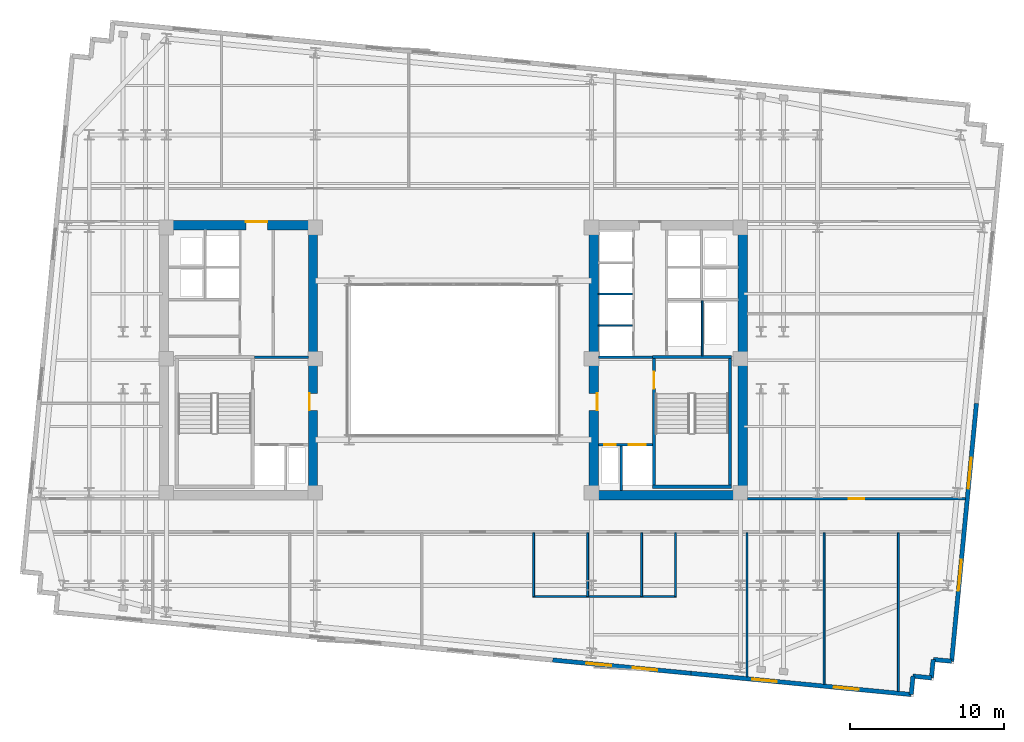
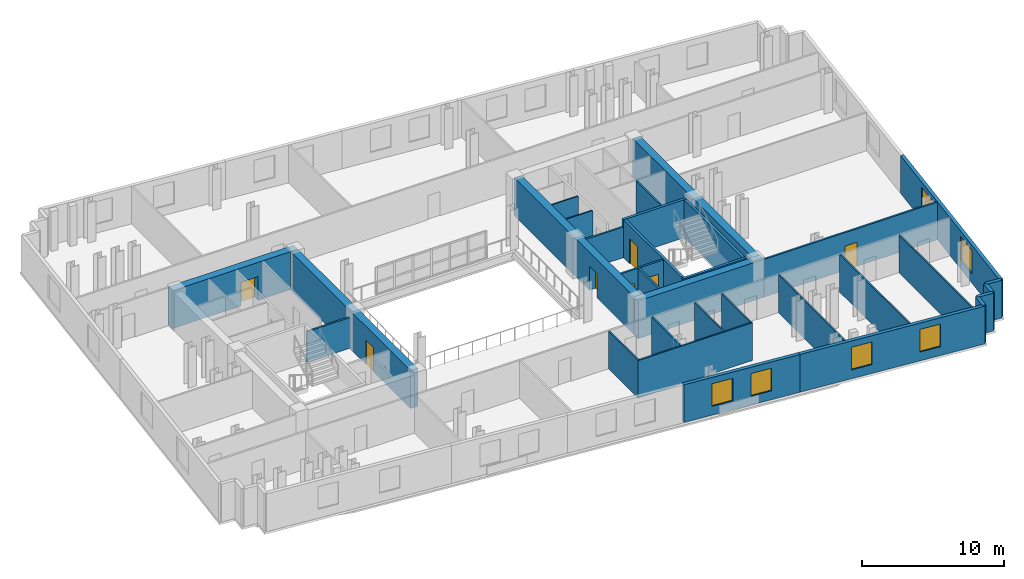
# One storey, part 6 of 10: 32 walls, 7 doors, 6 windows, 13 openings.
"""IFC4 building model written with IfcOpenShell, lengths in metres."""

from ifc_helpers import new_model, si_unit, direction, frame, frame_2d, origin, place, context, subcontext, project, spatial, rectangle, extrude, material, layer, layer_set, type_object, element, fill, save


model = new_model("IFC4")

# Units and contexts
model_context = context("Model", 3, precision=1e-05, world=origin(), true_north=direction((0.0, 1.0)))
body_context = subcontext(model_context, "Body", "Model", "MODEL_VIEW")
ifc_project = project(units=[si_unit("LENGTHUNIT", "METRE"), si_unit("AREAUNIT", "SQUARE_METRE"), si_unit("VOLUMEUNIT", "CUBIC_METRE"), si_unit("PLANEANGLEUNIT", "RADIAN"), si_unit("MASSUNIT", "GRAM", prefix="KILO")], contexts=[model_context])

# Site, building, storey
site_placement = place(None, origin())
site = spatial("IfcSite", under=ifc_project, at=site_placement, CompositionType="ELEMENT")
building_placement = place(site_placement, origin())
building = spatial("IfcBuilding", under=site, at=building_placement, Name="Velakula Bourse", CompositionType="ELEMENT")
storey_placement = place(building_placement, frame((0.0, 0.0, 174.199951171875)))
storey = spatial("IfcBuildingStorey", under=building, at=storey_placement, Name="L47", CompositionType="ELEMENT", Elevation=174.199951171875)

# Wall, opening, door
ifc_material_1 = material(Name="Concrete M50 (fck 50 MPa)", Category="concrete")
ifc_layer_1 = layer(ifc_material_1, 0.2099609375, Name="Concrete M50 (fck 50 MPa)", Category="concrete")
ifc_layer_set_1 = layer_set([ifc_layer_1], Name="Concrete M50 (fck 50 MPa)")
wall_type_1 = type_object("IfcWallType", Name="WL-CORE-210", PredefinedType="SHEAR", material=ifc_layer_set_1)
wall_1_placement = place(storey_placement, frame((12.9951171875, -8.10009765625, 0.0), z_axis=(0.0, 0.0, 1.0), x_axis=(0.0, 1.0, 0.0)))
wall_1 = element("IfcWall", 1, at=wall_1_placement, inside=storey, type_object=wall_type_1, Name="L47 Core E Stairwell Shear Wall IN", PredefinedType="SHEAR", context=body_context, shape_type="SweptSolid", body=[
    extrude(rectangle(XDim=8.2001953125, YDim=0.2099609375, at=frame_2d((4.10009765625, 0.0))), origin(), (0.0, 0.0, 1.0), 3.27001953125),
])
opening_1_placement = place(wall_1_placement, frame((6.25, 0.0, 0.0)))
opening_1 = element("IfcOpeningElement", 2, at=opening_1_placement, cuts=wall_1, Name="Opening D-STE1", PredefinedType="OPENING", context=body_context, shape_type="SweptSolid", body=[
    extrude(rectangle(XDim=1.10009765625, YDim=2.14990234375, at=frame_2d((0.550048828125, 1.074951171875))), frame((0.0, 0.114990234375, 0.0), z_axis=(0.0, -1.0, 0.0), x_axis=(1.0, 0.0, 0.0)), (0.0, 0.0, 1.0), 0.22998046875),
])
ifc_material_2 = material(Name="Galvanised painted hollow steel fire door", Category="steel")
door_type_1 = type_object("IfcDoorType", Name="DR-FD120-1100x2150", OperationType="NOTDEFINED", PredefinedType="DOOR", material=ifc_material_2)
door_1_placement = place(opening_1_placement, origin())
door_1 = element("IfcDoor", 3, at=door_1_placement, inside=storey, type_object=door_type_1, Name="L47 Stair ST-E1 Fire Door", OperationType="SINGLE_SWING_RIGHT", OverallHeight=2.14990234375, OverallWidth=1.10009765625, PredefinedType="DOOR", context=body_context, shape_type="SweptSolid", body=[
    extrude(rectangle(XDim=1.10009765625, YDim=2.14990234375, at=frame_2d((0.550048828125, 1.074951171875))), frame((0.0, 0.02490234375, 0.0), z_axis=(0.0, -1.0, 0.0), x_axis=(1.0, 0.0, 0.0)), (0.0, 0.0, 1.0), 0.050048828125),
])
fill(opening_1, door_1)

# Walls
wall_2_placement = place(storey_placement, frame((17.925048828125, -8.10009765625, 0.0), z_axis=(0.0, 0.0, 1.0), x_axis=(0.0, 1.0, 0.0)))
element("IfcWall", 4, at=wall_2_placement, inside=storey, type_object=wall_type_1, Name="L47 Core E Stairwell Shear Wall OUT", PredefinedType="SHEAR", context=body_context, shape_type="SweptSolid", body=[
    extrude(rectangle(XDim=8.2001953125, YDim=0.2099609375, at=frame_2d((4.10009765625, 0.0))), origin(), (0.0, 0.0, 1.0), 3.27001953125),
])
for number, where, z_axis, x_axis, name in (
    (5, (12.889892578125, -8.205078125, 0.0), (0.0, 0.0, 1.0), (1.0, 0.0, 0.0), "L47 Core E Stairwell Shear Wall S"),
    (6, (18.030029296875, 0.205078125, 0.0), (0.0, 0.0, 1.0), (-1.0, 0.0, 0.0), "L47 Core E Stairwell Shear Wall N"),
):
    element("IfcWall", number, at=place(storey_placement, frame(where, z_axis=z_axis, x_axis=x_axis)), inside=storey, type_object=wall_type_1, Name=name, PredefinedType="SHEAR", context=body_context, shape_type="SweptSolid", body=[
        extrude(rectangle(XDim=5.14013671875, YDim=0.2099609375, at=frame_2d((2.570068359375, 0.0))), origin(), (0.0, 0.0, 1.0), 3.27001953125),
    ])

# Wall, opening, door
ifc_material_3 = material(Name="Concrete M70 (fck 70 MPa)", Category="concrete")
ifc_layer_2 = layer(ifc_material_3, 0.60009765625, Name="Concrete M70 (fck 70 MPa)", Category="concrete")
ifc_layer_set_2 = layer_set([ifc_layer_2], Name="Concrete M70 (fck 70 MPa)")
wall_type_2 = type_object("IfcWallType", Name="WL-CORE-600", PredefinedType="SHEAR", material=ifc_layer_set_2)
wall_3_placement = place(storey_placement, frame((-19.050048828125, 8.75, 0.0), z_axis=(0.0, 0.0, 1.0), x_axis=(1.0, 0.0, 0.0)))
wall_3 = element("IfcWall", 7, at=wall_3_placement, inside=storey, type_object=wall_type_2, Name="L47 Core W Shear Wall N", PredefinedType="SHEAR", context=body_context, shape_type="SweptSolid", body=[
    extrude(rectangle(XDim=10.25, YDim=0.60009765625, at=frame_2d((5.125, 0.0))), origin(), (0.0, 0.0, 1.0), 3.27001953125),
])
opening_2_placement = place(wall_3_placement, frame((5.60009765625, 0.0, 0.0)))
opening_2 = element("IfcOpeningElement", 8, at=opening_2_placement, cuts=wall_3, Name="Opening D-LLW", PredefinedType="OPENING", context=body_context, shape_type="SweptSolid", body=[
    extrude(rectangle(XDim=1.39990234375, YDim=2.050048828125, at=frame_2d((0.699951171875, 1.02490234375))), frame((0.0, 0.31005859375, 0.0), z_axis=(0.0, -1.0, 0.0), x_axis=(1.0, 0.0, 0.0)), (0.0, 0.0, 1.0), 0.6201171875),
])
ifc_material_4 = material(Name="Fire-rated hardwood flush architectural door", Category="wood")
door_type_2 = type_object("IfcDoorType", Name="DR-DBL-FD60-1400", OperationType="DOUBLE_DOOR_SINGLE_SWING", PredefinedType="DOOR", material=ifc_material_4)
door_2_placement = place(opening_2_placement, origin())
door_2 = element("IfcDoor", 9, at=door_2_placement, inside=storey, type_object=door_type_2, Name="L47 Core W Lift Lobby Corridor Double Door", OperationType="DOUBLE_DOOR_SINGLE_SWING", OverallHeight=2.050048828125, OverallWidth=1.39990234375, PredefinedType="DOOR", context=body_context, shape_type="SweptSolid", body=[
    extrude(rectangle(XDim=1.39990234375, YDim=2.050048828125, at=frame_2d((0.699951171875, 1.02490234375))), frame((0.0, 0.2451171875, 0.0), z_axis=(0.0, -1.0, 0.0), x_axis=(1.0, 0.0, 0.0)), (0.0, 0.0, 1.0), 0.050048828125),
])
fill(opening_2, door_2)

wall_4_placement = place(storey_placement, frame((-9.10009765625, -8.449951171875, 0.0), z_axis=(0.0, 0.0, 1.0), x_axis=(0.0, 1.0, 0.0)))
wall_4 = element("IfcWall", 10, at=wall_4_placement, inside=storey, type_object=wall_type_2, Name="L47 Core W Shear Wall E", PredefinedType="SHEAR", context=body_context, shape_type="SweptSolid", body=[
    extrude(rectangle(XDim=16.89990234375, YDim=0.60009765625, at=frame_2d((8.449951171875, 0.0))), origin(), (0.0, 0.0, 1.0), 3.27001953125),
])
opening_3_placement = place(wall_4_placement, frame((5.199951171875, 0.0, 0.0)))
opening_3 = element("IfcOpeningElement", 11, at=opening_3_placement, cuts=wall_4, Name="Opening D-FLW", PredefinedType="OPENING", context=body_context, shape_type="SweptSolid", body=[
    extrude(rectangle(XDim=1.10009765625, YDim=2.080078125, at=frame_2d((0.550048828125, 1.0400390625))), frame((0.0, 0.31005859375, 0.0), z_axis=(0.0, -1.0, 0.0), x_axis=(1.0, 0.0, 0.0)), (0.0, 0.0, 1.0), 0.6201171875),
])
door_type_3 = type_object("IfcDoorType", Name="DR-FD120-1100", OperationType="NOTDEFINED", PredefinedType="DOOR", material=ifc_material_2)
door_3_placement = place(opening_3_placement, origin())
door_3 = element("IfcDoor", 12, at=door_3_placement, inside=storey, type_object=door_type_3, Name="L47 Firefighting Lobby W Corridor Fire Door", OperationType="SINGLE_SWING_LEFT", OverallHeight=2.080078125, OverallWidth=1.10009765625, PredefinedType="DOOR", context=body_context, shape_type="SweptSolid", body=[
    extrude(rectangle(XDim=1.10009765625, YDim=2.080078125, at=frame_2d((0.550048828125, 1.0400390625))), frame((0.0, 0.2548828125, 0.0), z_axis=(0.0, -1.0, 0.0), x_axis=(1.0, 0.0, 0.0)), (0.0, 0.0, 1.0), 0.050048828125),
])
fill(opening_3, door_3)

# Wall
wall_5_placement = place(storey_placement, frame((8.800048828125, -8.75, 0.0), z_axis=(0.0, 0.0, 1.0), x_axis=(1.0, 0.0, 0.0)))
element("IfcWall", 13, at=wall_5_placement, inside=storey, type_object=wall_type_2, Name="L47 Core E Shear Wall S", PredefinedType="SHEAR", context=body_context, shape_type="SweptSolid", body=[
    extrude(rectangle(XDim=10.25, YDim=0.60009765625, at=frame_2d((5.125, 0.0))), origin(), (0.0, 0.0, 1.0), 3.27001953125),
])

# Wall, opening, door
wall_6_placement = place(storey_placement, frame((9.10009765625, -8.449951171875, 0.0), z_axis=(0.0, 0.0, 1.0), x_axis=(0.0, 1.0, 0.0)))
wall_6 = element("IfcWall", 14, at=wall_6_placement, inside=storey, type_object=wall_type_2, Name="L47 Core E Shear Wall W", PredefinedType="SHEAR", context=body_context, shape_type="SweptSolid", body=[
    extrude(rectangle(XDim=16.89990234375, YDim=0.60009765625, at=frame_2d((8.449951171875, 0.0))), origin(), (0.0, 0.0, 1.0), 3.27001953125),
])
opening_4_placement = place(wall_6_placement, frame((5.199951171875, 0.0, 0.0)))
opening_4 = element("IfcOpeningElement", 15, at=opening_4_placement, cuts=wall_6, Name="Opening D-FLE", PredefinedType="OPENING", context=body_context, shape_type="SweptSolid", body=[
    extrude(rectangle(XDim=1.10009765625, YDim=2.080078125, at=frame_2d((0.550048828125, 1.0400390625))), frame((0.0, 0.31005859375, 0.0), z_axis=(0.0, -1.0, 0.0), x_axis=(1.0, 0.0, 0.0)), (0.0, 0.0, 1.0), 0.6201171875),
])
door_4_placement = place(opening_4_placement, origin())
door_4 = element("IfcDoor", 16, at=door_4_placement, inside=storey, type_object=door_type_3, Name="L47 Firefighting Lobby E Corridor Fire Door", OperationType="SINGLE_SWING_RIGHT", OverallHeight=2.080078125, OverallWidth=1.10009765625, PredefinedType="DOOR", context=body_context, shape_type="SweptSolid", body=[
    extrude(rectangle(XDim=1.10009765625, YDim=2.080078125, at=frame_2d((0.550048828125, 1.0400390625))), frame((0.0, -0.205078125, 0.0), z_axis=(0.0, -1.0, 0.0), x_axis=(1.0, 0.0, 0.0)), (0.0, 0.0, 1.0), 0.050048828125),
])
fill(opening_4, door_4)

# Wall
wall_7_placement = place(storey_placement, frame((18.75, -8.449951171875, 0.0), z_axis=(0.0, 0.0, 1.0), x_axis=(0.0, 1.0, 0.0)))
element("IfcWall", 17, at=wall_7_placement, inside=storey, type_object=wall_type_2, Name="L47 Core E Shear Wall E", PredefinedType="SHEAR", context=body_context, shape_type="SweptSolid", body=[
    extrude(rectangle(XDim=16.89990234375, YDim=0.60009765625, at=frame_2d((8.449951171875, 0.0))), origin(), (0.0, 0.0, 1.0), 3.27001953125),
])

# Wall, openings, windows
ifc_material_5 = material(Name="Red kilned clay facing brick masonry", Category="masonry")
ifc_layer_3 = layer(ifc_material_5, 0.280029296875, Name="Red kilned clay facing brick masonry", Category="masonry")
ifc_layer_set_3 = layer_set([ifc_layer_3], Name="Red kilned clay facing brick masonry")
wall_type_3 = type_object("IfcWallType", Name="WL-EXT-BRK-280", PredefinedType="STANDARD", material=ifc_layer_set_3)
wall_8_placement = place(storey_placement, frame((15.398681640625, -20.295654296875, 0.0), z_axis=(0.0, 0.0, 1.0), x_axis=(-0.995394455533, 0.09586385082, 0.0)))
wall_8 = element("IfcWall", 18, at=wall_8_placement, inside=storey, type_object=wall_type_3, Name="L47 S Brick Spandrel Wall B4", PredefinedType="STANDARD", context=body_context, shape_type="SweptSolid", body=[
    extrude(rectangle(XDim=9.000244140625, YDim=0.280029296875, at=frame_2d((4.5, 0.0))), origin(), (0.0, 0.0, 1.0), 3.25),
])
opening_5_placement = place(wall_8_placement, frame((2.199951171875, 0.0, 0.760009765625)))
opening_5 = element("IfcOpeningElement", 19, at=opening_5_placement, cuts=wall_8, Name="Opening W-02", PredefinedType="OPENING", context=body_context, shape_type="SweptSolid", body=[
    extrude(rectangle(XDim=1.60009765625, YDim=1.949951171875, at=frame_2d((0.800048828125, 0.97509765625))), frame((0.0, 0.14990234375, 0.0), z_axis=(0.0, -1.0, 0.0), x_axis=(1.0, 0.0, 0.0)), (0.0, 0.0, 1.0), 0.300048828125),
])
opening_6_placement = place(wall_8_placement, frame((5.199951171875, 0.0, 0.760009765625)))
opening_6 = element("IfcOpeningElement", 20, at=opening_6_placement, cuts=wall_8, Name="Opening W-02", PredefinedType="OPENING", context=body_context, shape_type="SweptSolid", body=[
    extrude(rectangle(XDim=1.60009765625, YDim=1.949951171875, at=frame_2d((0.800048828125, 0.97509765625))), frame((0.0, 0.14990234375, 0.0), z_axis=(0.0, -1.0, 0.0), x_axis=(1.0, 0.0, 0.0)), (0.0, 0.0, 1.0), 0.300048828125),
])
ifc_material_6 = material(Name="Double-glazed solar-control Low-E glass", Category="glass")
window_type_1 = type_object("IfcWindowType", Name="WIN-TWR-1600x2100", PartitioningType="SINGLE_PANEL", PredefinedType="WINDOW", material=ifc_material_6)
window_1_placement = place(opening_5_placement, origin())
window_1 = element("IfcWindow", 21, at=window_1_placement, inside=storey, type_object=window_type_1, Name="L47 Deep-Set Recessed Window 1", OverallHeight=1.949951171875, OverallWidth=1.60009765625, PartitioningType="SINGLE_PANEL", PredefinedType="WINDOW", context=body_context, shape_type="SweptSolid", body=[
    extrude(rectangle(XDim=1.60009765625, YDim=1.949951171875, at=frame_2d((0.800048828125, 0.97509765625))), frame((0.0, 0.030029296875, 0.0), z_axis=(0.0, -1.0, 0.0), x_axis=(1.0, 0.0, 0.0)), (0.0, 0.0, 1.0), 0.06005859375),
])
fill(opening_5, window_1)
window_2_placement = place(opening_6_placement, origin())
window_2 = element("IfcWindow", 22, at=window_2_placement, inside=storey, type_object=window_type_1, Name="L47 Deep-Set Recessed Window 2", OverallHeight=1.949951171875, OverallWidth=1.60009765625, PartitioningType="SINGLE_PANEL", PredefinedType="WINDOW", context=body_context, shape_type="SweptSolid", body=[
    extrude(rectangle(XDim=1.60009765625, YDim=1.949951171875, at=frame_2d((0.800048828125, 0.97509765625))), frame((0.0, 0.030029296875, 0.0), z_axis=(0.0, -1.0, 0.0), x_axis=(1.0, 0.0, 0.0)), (0.0, 0.0, 1.0), 0.06005859375),
])
fill(opening_6, window_2)

wall_9_placement = place(storey_placement, frame((29.672607421875, -21.669921875, 0.0), z_axis=(0.0, 0.0, 1.0), x_axis=(-0.995397230529, 0.095835032509, 0.0)))
wall_9 = element("IfcWall", 23, at=wall_9_placement, inside=storey, type_object=wall_type_3, Name="L47 S Brick Spandrel Wall B5", PredefinedType="STANDARD", context=body_context, shape_type="SweptSolid", body=[
    extrude(rectangle(XDim=14.33984375, YDim=0.280029296875, at=frame_2d((7.169921875, 0.0))), origin(), (0.0, 0.0, 1.0), 3.25),
])
opening_7_placement = place(wall_9_placement, frame((3.429931640625, 0.0, 0.760009765625)))
opening_7 = element("IfcOpeningElement", 24, at=opening_7_placement, cuts=wall_9, Name="Opening W-02", PredefinedType="OPENING", context=body_context, shape_type="SweptSolid", body=[
    extrude(rectangle(XDim=1.60009765625, YDim=1.949951171875, at=frame_2d((0.800048828125, 0.97509765625))), frame((0.0, 0.14990234375, 0.0), z_axis=(0.0, -1.0, 0.0), x_axis=(1.0, 0.0, 0.0)), (0.0, 0.0, 1.0), 0.300048828125),
])
opening_8_placement = place(wall_9_placement, frame((8.760009765625, 0.0, 0.760009765625)))
opening_8 = element("IfcOpeningElement", 25, at=opening_8_placement, cuts=wall_9, Name="Opening W-02", PredefinedType="OPENING", context=body_context, shape_type="SweptSolid", body=[
    extrude(rectangle(XDim=1.60009765625, YDim=1.949951171875, at=frame_2d((0.800048828125, 0.97509765625))), frame((0.0, 0.14990234375, 0.0), z_axis=(0.0, -1.0, 0.0), x_axis=(1.0, 0.0, 0.0)), (0.0, 0.0, 1.0), 0.300048828125),
])
window_3_placement = place(opening_7_placement, origin())
window_3 = element("IfcWindow", 26, at=window_3_placement, inside=storey, type_object=window_type_1, Name="L47 Deep-Set Recessed Window 1", OverallHeight=1.949951171875, OverallWidth=1.60009765625, PartitioningType="SINGLE_PANEL", PredefinedType="WINDOW", context=body_context, shape_type="SweptSolid", body=[
    extrude(rectangle(XDim=1.60009765625, YDim=1.949951171875, at=frame_2d((0.800048828125, 0.97509765625))), frame((0.0, 0.030029296875, 0.0), z_axis=(0.0, -1.0, 0.0), x_axis=(1.0, 0.0, 0.0)), (0.0, 0.0, 1.0), 0.06005859375),
])
fill(opening_7, window_3)
window_4_placement = place(opening_8_placement, origin())
window_4 = element("IfcWindow", 27, at=window_4_placement, inside=storey, type_object=window_type_1, Name="L47 Deep-Set Recessed Window 2", OverallHeight=1.949951171875, OverallWidth=1.60009765625, PartitioningType="SINGLE_PANEL", PredefinedType="WINDOW", context=body_context, shape_type="SweptSolid", body=[
    extrude(rectangle(XDim=1.60009765625, YDim=1.949951171875, at=frame_2d((0.800048828125, 0.97509765625))), frame((0.0, 0.030029296875, 0.0), z_axis=(0.0, -1.0, 0.0), x_axis=(1.0, 0.0, 0.0)), (0.0, 0.0, 1.0), 0.06005859375),
])
fill(opening_8, window_4)

wall_10_placement = place(storey_placement, frame((33.90087890625, -2.79833984375, 0.0), z_axis=(0.0, 0.0, 1.0), x_axis=(-0.095853434568, -0.99539545864, 0.0)))
wall_10 = element("IfcWall", 28, at=wall_10_placement, inside=storey, type_object=wall_type_3, Name="L47 E Brick End Wall W1", PredefinedType="STANDARD", context=body_context, shape_type="SweptSolid", body=[
    extrude(rectangle(XDim=16.7900390625, YDim=0.280029296875, at=frame_2d((8.39501953125, 0.0))), origin(), (0.0, 0.0, 1.0), 3.25),
])
opening_9_placement = place(wall_10_placement, frame((3.546630859375, 0.0, 0.760009765625)))
opening_9 = element("IfcOpeningElement", 29, at=opening_9_placement, cuts=wall_10, Name="Opening W-05", PredefinedType="OPENING", context=body_context, shape_type="SweptSolid", body=[
    extrude(rectangle(XDim=2.0, YDim=2.050048828125, at=frame_2d((1.0, 1.02490234375))), frame((0.0, 0.14990234375, 0.0), z_axis=(0.0, -1.0, 0.0), x_axis=(1.0, 0.0, 0.0)), (0.0, 0.0, 1.0), 0.300048828125),
])
opening_10_placement = place(wall_10_placement, frame((10.193359375, 0.0, 0.760009765625)))
opening_10 = element("IfcOpeningElement", 30, at=opening_10_placement, cuts=wall_10, Name="Opening W-05", PredefinedType="OPENING", context=body_context, shape_type="SweptSolid", body=[
    extrude(rectangle(XDim=2.0, YDim=2.050048828125, at=frame_2d((1.0, 1.02490234375))), frame((0.0, 0.14990234375, 0.0), z_axis=(0.0, -1.0, 0.0), x_axis=(1.0, 0.0, 0.0)), (0.0, 0.0, 1.0), 0.300048828125),
])
window_type_2 = type_object("IfcWindowType", Name="WIN-TWR-2000x2200", PartitioningType="DOUBLE_PANEL_VERTICAL", PredefinedType="WINDOW", material=ifc_material_6)
window_5_placement = place(opening_9_placement, origin())
window_5 = element("IfcWindow", 31, at=window_5_placement, inside=storey, type_object=window_type_2, Name="L47 Deep-Set Recessed Window 1", OverallHeight=2.050048828125, OverallWidth=2.0, PartitioningType="DOUBLE_PANEL_VERTICAL", PredefinedType="WINDOW", context=body_context, shape_type="SweptSolid", body=[
    extrude(rectangle(XDim=2.0, YDim=2.050048828125, at=frame_2d((1.0, 1.02490234375))), frame((0.0, 0.030029296875, 0.0), z_axis=(0.0, -1.0, 0.0), x_axis=(1.0, 0.0, 0.0)), (0.0, 0.0, 1.0), 0.06005859375),
])
fill(opening_9, window_5)
window_6_placement = place(opening_10_placement, origin())
window_6 = element("IfcWindow", 32, at=window_6_placement, inside=storey, type_object=window_type_2, Name="L47 Deep-Set Recessed Window 2", OverallHeight=2.050048828125, OverallWidth=2.0, PartitioningType="DOUBLE_PANEL_VERTICAL", PredefinedType="WINDOW", context=body_context, shape_type="SweptSolid", body=[
    extrude(rectangle(XDim=2.0, YDim=2.050048828125, at=frame_2d((1.0, 1.02490234375))), frame((0.0, 0.030029296875, 0.0), z_axis=(0.0, -1.0, 0.0), x_axis=(1.0, 0.0, 0.0)), (0.0, 0.0, 1.0), 0.06005859375),
])
fill(opening_10, window_6)

# Walls
for number, where, z_axis, x_axis, name in (
    (33, (29.672607421875, -21.669921875, 0.0), (0.0, 0.0, 1.0), (0.095836473879, 0.995397091755, 0.0), "L47 Serrated Corner Brick Wall SE-1"),
    (34, (29.78759765625, -20.4755859375, 0.0), (0.0, 0.0, 1.0), (0.995397091755, -0.095836473879, 0.0), "L47 Serrated Corner Brick Wall SE-2"),
):
    element("IfcWall", number, at=place(storey_placement, frame(where, z_axis=z_axis, x_axis=x_axis)), inside=storey, type_object=wall_type_3, Name=name, PredefinedType="STANDARD", context=body_context, shape_type="SweptSolid", body=[
        extrude(rectangle(XDim=1.199951171875, YDim=0.280029296875, at=frame_2d((0.60009765625, 0.0))), origin(), (0.0, 0.0, 1.0), 3.25),
    ])
wall_11_placement = place(storey_placement, frame((30.98193359375, -20.590576171875, 0.0), z_axis=(0.0, 0.0, 1.0), x_axis=(0.096018626938, 0.995379537303, 0.0)))
element("IfcWall", 35, at=wall_11_placement, inside=storey, type_object=wall_type_3, Name="L47 Serrated Corner Brick Wall SE-3", PredefinedType="STANDARD", context=body_context, shape_type="SweptSolid", body=[
    extrude(rectangle(XDim=1.2001953125, YDim=0.280029296875, at=frame_2d((0.60009765625, 0.0))), origin(), (0.0, 0.0, 1.0), 3.25),
])
wall_12_placement = place(storey_placement, frame((31.09716796875, -19.39599609375, 0.0), z_axis=(0.0, 0.0, 1.0), x_axis=(0.995397091755, -0.095836473879, 0.0)))
element("IfcWall", 36, at=wall_12_placement, inside=storey, type_object=wall_type_3, Name="L47 Serrated Corner Brick Wall SE-4", PredefinedType="STANDARD", context=body_context, shape_type="SweptSolid", body=[
    extrude(rectangle(XDim=1.199951171875, YDim=0.280029296875, at=frame_2d((0.60009765625, 0.0))), origin(), (0.0, 0.0, 1.0), 3.25),
])
ifc_material_7 = material(Name="Fire-rated double-layer gypsum drywall partition", Category="gypsum")
ifc_layer_4 = layer(ifc_material_7, 0.1201171875, Name="Fire-rated double-layer gypsum drywall partition", Category="gypsum")
ifc_layer_set_4 = layer_set([ifc_layer_4], Name="Fire-rated double-layer gypsum drywall partition")
wall_type_4 = type_object("IfcWallType", Name="WL-PART-120", PredefinedType="STANDARD", material=ifc_layer_set_4)
for number, where, z_axis, x_axis, name in (
    (37, (9.39990234375, 2.2548828125, 0.0), (0.0, 0.0, 1.0), (1.0, 0.0, 0.0), "L47 Interior Partition WL-CRE-L47-BDIV-0"),
    (38, (9.39990234375, 4.284912109375, 0.0), (0.0, 0.0, 1.0), (1.0, 0.0, 0.0), "L47 Interior Partition WL-CRE-L47-BDIV-1"),
):
    element("IfcWall", number, at=place(storey_placement, frame(where, z_axis=z_axis, x_axis=x_axis)), inside=storey, type_object=wall_type_4, Name=name, PredefinedType="STANDARD", context=body_context, shape_type="SweptSolid", body=[
        extrude(rectangle(XDim=2.2001953125, YDim=0.110107421875, at=frame_2d((1.10009765625, 0.0))), origin(), (0.0, 0.0, 1.0), 3.25),
    ])
wall_13_placement = place(storey_placement, frame((16.125, 0.27001953125, 0.0), z_axis=(0.0, 0.0, 1.0), x_axis=(0.0, 1.0, 0.0)))
element("IfcWall", 39, at=wall_13_placement, inside=storey, type_object=wall_type_4, Name="L47 Interior Partition WL-CRE-L47-SVL-E", PredefinedType="STANDARD", context=body_context, shape_type="SweptSolid", body=[
    extrude(rectangle(XDim=3.590087890625, YDim=0.1201171875, at=frame_2d((1.794921875, 0.0))), origin(), (0.0, 0.0, 1.0), 3.25),
])
wall_14_placement = place(storey_placement, frame((5.139892578125, -15.320068359375, 0.0), z_axis=(0.0, 0.0, 1.0), x_axis=(1.0, 0.0, 0.0)))
element("IfcWall", 40, at=wall_14_placement, inside=storey, type_object=wall_type_4, Name="L47 Interior Partition WL-WC-L47-BACK", PredefinedType="STANDARD", context=body_context, shape_type="SweptSolid", body=[
    extrude(rectangle(XDim=9.320068359375, YDim=0.1201171875, at=frame_2d((4.66015625, 0.0))), origin(), (0.0, 0.0, 1.0), 3.25),
])
for number, where, z_axis, x_axis, name in (
    (41, (5.199951171875, -15.320068359375, 0.0), (0.0, 0.0, 1.0), (0.0, 1.0, 0.0), "L47 Interior Partition WL-WC-L47-V1"),
    (42, (8.699951171875, -15.320068359375, 0.0), (0.0, 0.0, 1.0), (0.0, 1.0, 0.0), "L47 Interior Partition WL-WC-L47-V2"),
    (43, (12.199951171875, -15.320068359375, 0.0), (0.0, 0.0, 1.0), (0.0, 1.0, 0.0), "L47 Interior Partition WL-WC-L47-V3"),
    (44, (14.39990234375, -15.320068359375, 0.0), (0.0, 0.0, 1.0), (0.0, 1.0, 0.0), "L47 Interior Partition WL-WC-L47-V4"),
):
    element("IfcWall", number, at=place(storey_placement, frame(where, z_axis=z_axis, x_axis=x_axis)), inside=storey, type_object=wall_type_4, Name=name, PredefinedType="STANDARD", context=body_context, shape_type="SweptSolid", body=[
        extrude(rectangle(XDim=4.130126953125, YDim=0.1201171875, at=frame_2d((2.06494140625, 0.0))), origin(), (0.0, 0.0, 1.0), 3.25),
    ])
wall_15_placement = place(storey_placement, frame((19.028076171875, -20.5244140625, 0.0), z_axis=(0.0, 0.0, 1.0), x_axis=(0.0, 1.0, 0.0)))
element("IfcWall", 45, at=wall_15_placement, inside=storey, type_object=wall_type_4, Name="L47 Interior Partition WL-INT-L47-SR-D8", PredefinedType="STANDARD", context=body_context, shape_type="SweptSolid", body=[
    extrude(rectangle(XDim=9.33447265625, YDim=0.1201171875, at=frame_2d((4.667236328125, 0.0))), origin(), (0.0, 0.0, 1.0), 3.25),
])
wall_16_placement = place(storey_placement, frame((24.02587890625, -21.005615234375, 0.0), z_axis=(0.0, 0.0, 1.0), x_axis=(0.0, 1.0, 0.0)))
element("IfcWall", 46, at=wall_16_placement, inside=storey, type_object=wall_type_4, Name="L47 Interior Partition WL-INT-L47-SR-D9", PredefinedType="STANDARD", context=body_context, shape_type="SweptSolid", body=[
    extrude(rectangle(XDim=9.815673828125, YDim=0.1201171875, at=frame_2d((4.90771484375, 0.0))), origin(), (0.0, 0.0, 1.0), 3.25),
])
wall_17_placement = place(storey_placement, frame((28.839111328125, -21.46923828125, 0.0), z_axis=(0.0, 0.0, 1.0), x_axis=(0.0, 1.0, 0.0)))
element("IfcWall", 47, at=wall_17_placement, inside=storey, type_object=wall_type_4, Name="L47 Interior Partition WL-INT-L47-SR-D10", PredefinedType="STANDARD", context=body_context, shape_type="SweptSolid", body=[
    extrude(rectangle(XDim=10.279296875, YDim=0.1201171875, at=frame_2d((5.1396484375, 0.0))), origin(), (0.0, 0.0, 1.0), 3.25),
])

# Wall, opening, door
ifc_layer_5 = layer(ifc_material_7, 0.139892578125, Name="Fire-rated double-layer gypsum drywall partition", Category="gypsum")
ifc_layer_set_5 = layer_set([ifc_layer_5], Name="Fire-rated double-layer gypsum drywall partition")
wall_type_5 = type_object("IfcWallType", Name="WL-PART-140", PredefinedType="STANDARD", material=ifc_layer_set_5)
wall_18_placement = place(storey_placement, frame((19.050048828125, -8.97998046875, 0.0), z_axis=(0.0, 0.0, 1.0), x_axis=(1.0, 0.0, 0.0)))
wall_18 = element("IfcWall", 48, at=wall_18_placement, inside=storey, type_object=wall_type_5, Name="L47 Interior Partition WL-INT-L47-E-SC", PredefinedType="STANDARD", context=body_context, shape_type="SweptSolid", body=[
    extrude(rectangle(XDim=14.135009765625, YDim=0.139892578125, at=frame_2d((7.0673828125, 0.0))), origin(), (0.0, 0.0, 1.0), 3.25),
])
opening_11_placement = place(wall_18_placement, frame((6.5673828125, 0.0, 0.0)))
opening_11 = element("IfcOpeningElement", 49, at=opening_11_placement, cuts=wall_18, Name="Opening D-OF1", PredefinedType="OPENING", context=body_context, shape_type="SweptSolid", body=[
    extrude(rectangle(XDim=1.0, YDim=2.080078125, at=frame_2d((0.5, 1.0400390625))), frame((0.0, 0.079833984375, 0.0), z_axis=(0.0, -1.0, 0.0), x_axis=(1.0, 0.0, 0.0)), (0.0, 0.0, 1.0), 0.159912109375),
])
door_type_4 = type_object("IfcDoorType", Name="DR-OFF-1000", OperationType="NOTDEFINED", PredefinedType="DOOR", material=ifc_material_4)
door_5_placement = place(opening_11_placement, origin())
door_5 = element("IfcDoor", 50, at=door_5_placement, inside=storey, type_object=door_type_4, Name="L47 Interest-Rate Swaps Workspace Door", OperationType="SINGLE_SWING_RIGHT", OverallHeight=2.080078125, OverallWidth=1.0, PredefinedType="DOOR", context=body_context, shape_type="SweptSolid", body=[
    extrude(rectangle(XDim=1.0, YDim=2.080078125, at=frame_2d((0.5, 1.0400390625))), frame((0.0, 0.02490234375, 0.0), z_axis=(0.0, -1.0, 0.0), x_axis=(1.0, 0.0, 0.0)), (0.0, 0.0, 1.0), 0.050048828125),
])
fill(opening_11, door_5)

# Wall
ifc_material_8 = material(Name="Autoclaved aerated concrete blockwork masonry", Category="masonry")
ifc_layer_6 = layer(ifc_material_8, 0.14990234375, Name="Autoclaved aerated concrete blockwork masonry", Category="masonry")
ifc_layer_set_6 = layer_set([ifc_layer_6], Name="Autoclaved aerated concrete blockwork masonry")
wall_type_6 = type_object("IfcWallType", Name="WL-SHAFT-150", PredefinedType="STANDARD", material=ifc_layer_set_6)
wall_19_placement = place(storey_placement, frame((-12.889892578125, 0.18994140625, 0.0), z_axis=(0.0, 0.0, 1.0), x_axis=(1.0, 0.0, 0.0)))
element("IfcWall", 51, at=wall_19_placement, inside=storey, type_object=wall_type_6, Name="L47 Interior Partition WL-CRW-L47-FF-TOP", PredefinedType="STANDARD", context=body_context, shape_type="SweptSolid", body=[
    extrude(rectangle(XDim=3.489990234375, YDim=0.14990234375, at=frame_2d((1.7451171875, 0.0))), origin(), (0.0, 0.0, 1.0), 2.64501953125),
])

# Wall, openings, doors
wall_20_placement = place(storey_placement, frame((9.39990234375, -5.47509765625, 0.0), z_axis=(0.0, 0.0, 1.0), x_axis=(1.0, 0.0, 0.0)))
wall_20 = element("IfcWall", 52, at=wall_20_placement, inside=storey, type_object=wall_type_6, Name="L47 Interior Partition WL-CRE-L47-FFL-N", PredefinedType="STANDARD", context=body_context, shape_type="SweptSolid", body=[
    extrude(rectangle(XDim=3.4951171875, YDim=0.14990234375, at=frame_2d((1.74755859375, 0.0))), origin(), (0.0, 0.0, 1.0), 3.25),
])
opening_12_placement = place(wall_20_placement, frame((1.97509765625, 0.0, 0.0)))
opening_12 = element("IfcOpeningElement", 53, at=opening_12_placement, cuts=wall_20, Name="Opening LD-FFL-2", PredefinedType="OPENING", context=body_context, shape_type="SweptSolid", body=[
    extrude(rectangle(XDim=1.10009765625, YDim=2.14990234375, at=frame_2d((0.550048828125, 1.074951171875))), frame((0.0, 0.0849609375, 0.0), z_axis=(0.0, -1.0, 0.0), x_axis=(1.0, 0.0, 0.0)), (0.0, 0.0, 1.0), 0.169921875),
])
opening_13_placement = place(wall_20_placement, frame((0.375, 0.0, 0.0)))
opening_13 = element("IfcOpeningElement", 54, at=opening_13_placement, cuts=wall_20, Name="Opening D-RS1", PredefinedType="OPENING", context=body_context, shape_type="SweptSolid", body=[
    extrude(rectangle(XDim=0.75, YDim=2.050048828125, at=frame_2d((0.375, 1.02490234375))), frame((0.0, 0.0849609375, 0.0), z_axis=(0.0, -1.0, 0.0), x_axis=(1.0, 0.0, 0.0)), (0.0, 0.0, 1.0), 0.169921875),
])
door_type_5 = type_object("IfcDoorType", Name="DR-RISER-800", OperationType="NOTDEFINED", PredefinedType="DOOR", material=ifc_material_2)
door_6_placement = place(opening_13_placement, origin())
door_6 = element("IfcDoor", 55, at=door_6_placement, inside=storey, type_object=door_type_5, Name="L47 Fire Riser Access Door", OperationType="SINGLE_SWING_LEFT", OverallHeight=2.050048828125, OverallWidth=0.75, PredefinedType="DOOR", context=body_context, shape_type="SweptSolid", body=[
    extrude(rectangle(XDim=0.75, YDim=2.050048828125, at=frame_2d((0.375, 1.02490234375))), frame((0.0, 0.02490234375, 0.0), z_axis=(0.0, -1.0, 0.0), x_axis=(1.0, 0.0, 0.0)), (0.0, 0.0, 1.0), 0.050048828125),
])
fill(opening_13, door_6)
ifc_material_9 = material(Name="Brushed grade 316 stainless steel", Category="steel")
door_type_6 = type_object("IfcDoorType", Name="DR-SLIDE-FFL-1100", OperationType="DOUBLE_DOOR_SLIDING", PredefinedType="DOOR", material=ifc_material_9)
door_7_placement = place(opening_12_placement, origin())
door_7 = element("IfcDoor", 56, at=door_7_placement, inside=storey, type_object=door_type_6, Name="L47 Firefighting Lift FFL-2 Sliding Landing Door", OperationType="DOUBLE_DOOR_SLIDING", OverallHeight=2.14990234375, OverallWidth=1.10009765625, PredefinedType="DOOR", context=body_context, shape_type="SweptSolid", body=[
    extrude(rectangle(XDim=1.10009765625, YDim=2.14990234375, at=frame_2d((0.550048828125, 1.074951171875))), frame((0.0, 0.02490234375, 0.0), z_axis=(0.0, -1.0, 0.0), x_axis=(1.0, 0.0, 0.0)), (0.0, 0.0, 1.0), 0.050048828125),
])
fill(opening_12, door_7)

# Walls
wall_21_placement = place(storey_placement, frame((10.875, -8.449951171875, 0.0), z_axis=(0.0, 0.0, 1.0), x_axis=(0.0, 1.0, 0.0)))
element("IfcWall", 57, at=wall_21_placement, inside=storey, type_object=wall_type_6, Name="L47 Interior Partition WL-CRE-L47-FR-DIV", PredefinedType="STANDARD", context=body_context, shape_type="SweptSolid", body=[
    extrude(rectangle(XDim=2.89990234375, YDim=0.14990234375, at=frame_2d((1.449951171875, 0.0))), origin(), (0.0, 0.0, 1.0), 3.25),
])
wall_22_placement = place(storey_placement, frame((9.39990234375, 0.18994140625, 0.0), z_axis=(0.0, 0.0, 1.0), x_axis=(1.0, 0.0, 0.0)))
element("IfcWall", 58, at=wall_22_placement, inside=storey, type_object=wall_type_6, Name="L47 Interior Partition WL-CRE-L47-FF-TOP", PredefinedType="STANDARD", context=body_context, shape_type="SweptSolid", body=[
    extrude(rectangle(XDim=3.489990234375, YDim=0.14990234375, at=frame_2d((1.7451171875, 0.0))), origin(), (0.0, 0.0, 1.0), 2.64501953125),
])

save(model, "model.ifc")
